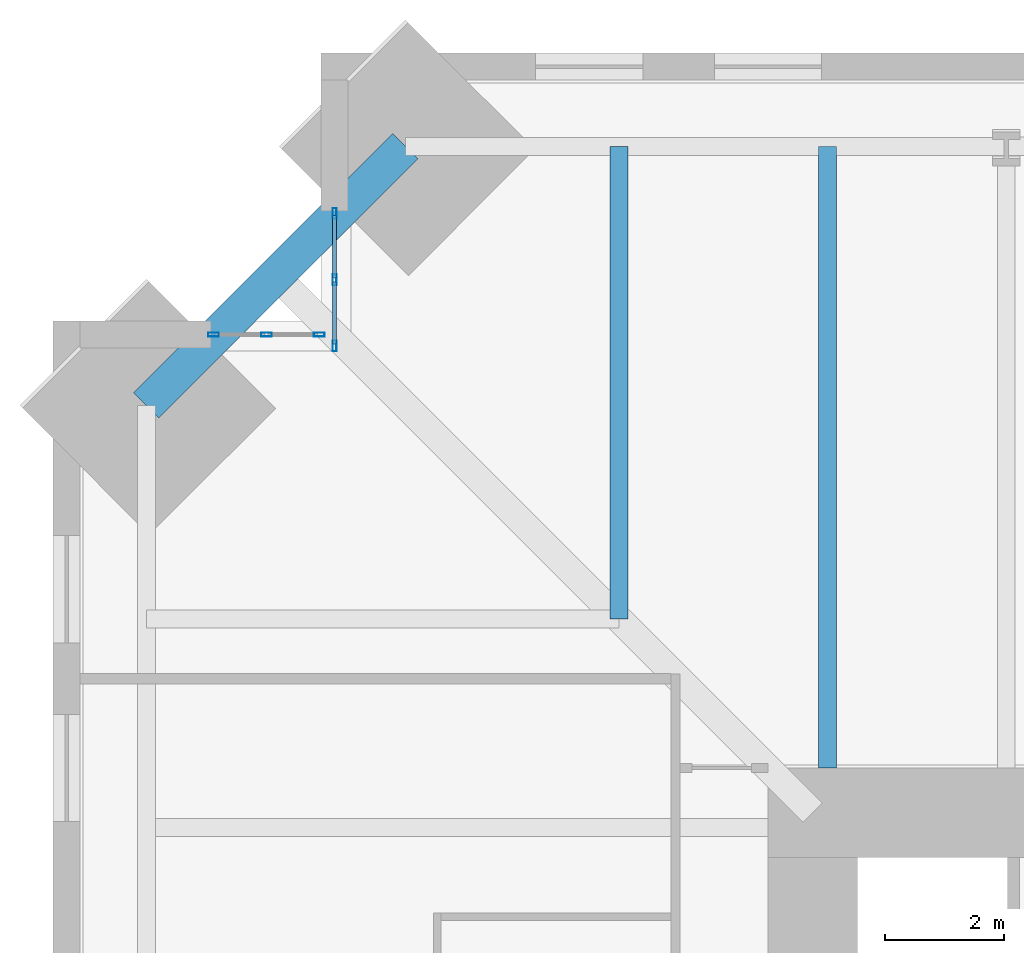
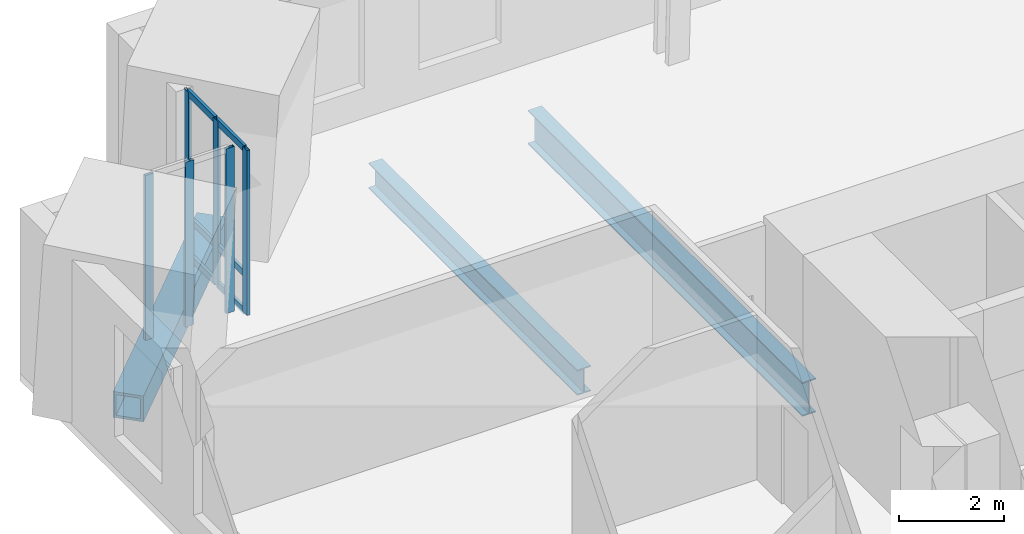
# One storey, part 6 of 15: 12 members, 3 beams, 2 elements without a shape of their own.
"""IFC4 building model written with IfcOpenShell, lengths in metres."""

from ifc_helpers import new_model, si_unit, direction, frame, origin, origin_2d, place, context, subcontext, project, spatial, hollow_rectangle, i_section, extrude, material, material_profile, profile_set, type_object, element, aggregate, save


model = new_model("IFC4")

# Units and contexts
model_context = context("Model", 3, precision=1e-05, world=origin(), true_north=direction((0.0, 1.0)))
body_context = subcontext(model_context, "Body", "Model", "MODEL_VIEW")
ifc_project = project(units=[si_unit("LENGTHUNIT", "METRE"), si_unit("AREAUNIT", "SQUARE_METRE"), si_unit("VOLUMEUNIT", "CUBIC_METRE"), si_unit("PLANEANGLEUNIT", "RADIAN"), si_unit("MASSUNIT", "GRAM", prefix="KILO")], contexts=[model_context])

# Site, building, storey
site_placement = place(None, origin())
site = spatial("IfcSite", under=ifc_project, at=site_placement, CompositionType="ELEMENT")
building_placement = place(site_placement, origin())
building = spatial("IfcBuilding", under=site, at=building_placement, Name="Peilmerk Tower", CompositionType="ELEMENT")
storey_placement = place(building_placement, frame((0.0, 0.0, 209.800048828125)))
storey = spatial("IfcBuildingStorey", under=building, at=storey_placement, Name="L45", CompositionType="ELEMENT", Elevation=209.800048828125)

# Beams
ifc_material_1 = material(Name="Steel S460", Category="steel")
ifc_material_profile_1 = material_profile(ifc_material_1, hollow_rectangle(XDim=0.60009765625, YDim=0.60009765625, WallThickness=0.06005859375, at=origin_2d()), Name="BOX 600x600x60")
ifc_profile_set_1 = profile_set([ifc_material_profile_1], Name="Steel S460")
beam_type_1 = type_object("IfcBeamType", Name="B20 BOX 600x600x60 notch beam", PredefinedType="SPANDREL", material=ifc_profile_set_1)
beam_1_placement = place(storey_placement, frame((-22.43701171875, 18.087158203125, -0.469970703125), z_axis=(0.707106781187, 0.707106781187, 0.0), x_axis=(-0.707106781187, 0.707106781187, 0.0)))
element("IfcBeam", 1, at=beam_1_placement, inside=storey, type_object=beam_type_1, Name="Notch beam L45", PredefinedType="SPANDREL", context=body_context, shape_type="SweptSolid", body=[
    extrude(hollow_rectangle(XDim=0.60009765625, YDim=0.60009765625, WallThickness=0.06005859375, at=origin_2d()), origin(), (0.0, 0.0, 1.0), 6.151611328125),
])
ifc_material_2 = material(Name="Steel S355", Category="steel")
ifc_material_profile_2 = material_profile(ifc_material_2, i_section(OverallWidth=0.300048828125, OverallDepth=0.590087890625, WebThickness=0.012939453125, FlangeThickness=0.02490234375, at=origin_2d()), Name="HEA 600")
ifc_profile_set_2 = profile_set([ifc_material_profile_2], Name="Steel S355")
beam_type_2 = type_object("IfcBeamType", Name="B27 HEA 600 floor beam", PredefinedType="BEAM", material=ifc_profile_set_2)
beam_2_placement = place(storey_placement, frame((-14.5, 14.5, -0.465087890625), z_axis=(0.0, 1.0, 0.0), x_axis=(-1.0, 0.0, 0.0)))
element("IfcBeam", 2, at=beam_2_placement, inside=storey, type_object=beam_type_2, Name="Floor beam L45", PredefinedType="BEAM", context=body_context, shape_type="SweptSolid", body=[
    extrude(i_section(OverallWidth=0.300048828125, OverallDepth=0.590087890625, WebThickness=0.012939453125, FlangeThickness=0.02490234375, at=origin_2d()), origin(), (0.0, 0.0, 1.0), 7.93701171875),
])
ifc_material_profile_3 = material_profile(ifc_material_2, i_section(OverallWidth=0.300048828125, OverallDepth=0.7900390625, WebThickness=0.014892578125, FlangeThickness=0.028076171875, at=origin_2d()), Name="HEA 800")
ifc_profile_set_3 = profile_set([ifc_material_profile_3], Name="Steel S355")
beam_type_3 = type_object("IfcBeamType", Name="B3 HEA 800 floor beam", PredefinedType="BEAM", material=ifc_profile_set_3)
beam_3_placement = place(storey_placement, frame((-11.0, 12.0, -0.56494140625), z_axis=(0.0, 1.0, 0.0), x_axis=(-1.0, 0.0, 0.0)))
element("IfcBeam", 3, at=beam_3_placement, inside=storey, type_object=beam_type_3, Name="Floor beam L45", PredefinedType="BEAM", context=body_context, shape_type="SweptSolid", body=[
    extrude(i_section(OverallWidth=0.300048828125, OverallDepth=0.7900390625, WebThickness=0.014892578125, FlangeThickness=0.028076171875, at=origin_2d()), origin(), (0.0, 0.0, 1.0), 10.43701171875),
])

# Curtain wall, members
ifc_material_3 = material(Name="Aluminium stick curtain wall", Category="aluminium")
curtain_wall_type = type_object("IfcCurtainWallType", Name="CW4 stick curtain wall, 2250 module", PredefinedType="NOTDEFINED", material=ifc_material_3)
curtain_wall_1_placement = place(storey_placement, origin())
curtain_wall_1 = element("IfcCurtainWall", 4, at=curtain_wall_1_placement, inside=storey, type_object=curtain_wall_type, Name="Curtain wall CW4 NWA L45", PredefinedType="NOTDEFINED")
ifc_material_4 = material(Name="Aluminium EN AW-6063 T6", Category="aluminium")
ifc_material_profile_4 = material_profile(ifc_material_4, hollow_rectangle(XDim=0.06494140625, YDim=0.179931640625, WallThickness=0.0029296875, at=origin_2d()), Name="AL 180x65x3")
ifc_profile_set_4 = profile_set([ifc_material_profile_4], Name="Aluminium EN AW-6063 T6")
member_type_1 = type_object("IfcMemberType", Name="CW4-M AL 180x65x3 mullion", PredefinedType="MULLION", material=ifc_profile_set_4)
member_1_placement = place(storey_placement, frame((-19.27490234375, 19.08251953125, 0.0), z_axis=(0.0, 0.0, 1.0), x_axis=(-1.0, 0.0, 0.0)))
member_1 = element("IfcMember", 5, at=member_1_placement, type_object=member_type_1, Name="CW4 mullion 1", PredefinedType="MULLION", context=body_context, shape_type="SweptSolid", body=[
    extrude(hollow_rectangle(XDim=0.06494140625, YDim=0.179931640625, WallThickness=0.0029296875, at=origin_2d()), origin(), (0.0, 0.0, 1.0), 3.829833984375),
])
member_2_placement = place(storey_placement, frame((-19.27490234375, 20.1943359375, 0.0), z_axis=(0.0, 0.0, 1.0), x_axis=(-1.0, 0.0, 0.0)))
member_2 = element("IfcMember", 6, at=member_2_placement, type_object=member_type_1, Name="CW4 mullion 2", PredefinedType="MULLION", context=body_context, shape_type="SweptSolid", body=[
    extrude(hollow_rectangle(XDim=0.06494140625, YDim=0.179931640625, WallThickness=0.0029296875, at=origin_2d()), origin(), (0.0, 0.0, 1.0), 3.829833984375),
])
member_3_placement = place(storey_placement, frame((-19.27490234375, 21.30615234375, 0.0), z_axis=(0.0, 0.0, 1.0), x_axis=(-1.0, 0.0, 0.0)))
member_3 = element("IfcMember", 7, at=member_3_placement, type_object=member_type_1, Name="CW4 mullion 3", PredefinedType="MULLION", context=body_context, shape_type="SweptSolid", body=[
    extrude(hollow_rectangle(XDim=0.06494140625, YDim=0.179931640625, WallThickness=0.0029296875, at=origin_2d()), origin(), (0.0, 0.0, 1.0), 3.829833984375),
])

curtain_wall_2_placement = place(storey_placement, origin())
curtain_wall_2 = element("IfcCurtainWall", 8, at=curtain_wall_2_placement, inside=storey, type_object=curtain_wall_type, Name="Curtain wall CW4 NWB L45", PredefinedType="NOTDEFINED")
member_4_placement = place(storey_placement, frame((-19.532470703125, 19.27490234375, 0.0), z_axis=(0.0, 0.0, 1.0), x_axis=(0.0, -1.0, 0.0)))
member_4 = element("IfcMember", 9, at=member_4_placement, type_object=member_type_1, Name="CW4 mullion 1", PredefinedType="MULLION", context=body_context, shape_type="SweptSolid", body=[
    extrude(hollow_rectangle(XDim=0.06494140625, YDim=0.179931640625, WallThickness=0.0029296875, at=origin_2d()), origin(), (0.0, 0.0, 1.0), 3.829833984375),
])
member_5_placement = place(storey_placement, frame((-20.41943359375, 19.27490234375, 0.0), z_axis=(0.0, 0.0, 1.0), x_axis=(0.0, -1.0, 0.0)))
member_5 = element("IfcMember", 10, at=member_5_placement, type_object=member_type_1, Name="CW4 mullion 2", PredefinedType="MULLION", context=body_context, shape_type="SweptSolid", body=[
    extrude(hollow_rectangle(XDim=0.06494140625, YDim=0.179931640625, WallThickness=0.0029296875, at=origin_2d()), origin(), (0.0, 0.0, 1.0), 3.829833984375),
])
member_6_placement = place(storey_placement, frame((-21.30615234375, 19.27490234375, 0.0), z_axis=(0.0, 0.0, 1.0), x_axis=(0.0, -1.0, 0.0)))
member_6 = element("IfcMember", 11, at=member_6_placement, type_object=member_type_1, Name="CW4 mullion 3", PredefinedType="MULLION", context=body_context, shape_type="SweptSolid", body=[
    extrude(hollow_rectangle(XDim=0.06494140625, YDim=0.179931640625, WallThickness=0.0029296875, at=origin_2d()), origin(), (0.0, 0.0, 1.0), 3.829833984375),
])
aggregate(curtain_wall_2, [member_4, member_5, member_6])

# Member
ifc_material_profile_5 = material_profile(ifc_material_4, hollow_rectangle(XDim=0.06494140625, YDim=0.14990234375, WallThickness=0.0029296875, at=origin_2d()), Name="AL 150x65x3")
ifc_profile_set_5 = profile_set([ifc_material_profile_5], Name="Aluminium EN AW-6063 T6")
member_type_2 = type_object("IfcMemberType", Name="CW4-T AL 150x65x3 transom", PredefinedType="USERDEFINED", material=ifc_profile_set_5)
member_7_placement = place(storey_placement, frame((-19.27490234375, 19.114990234375, 0.032470703125), z_axis=(0.0, 1.0, 0.0), x_axis=(-1.0, 0.0, 0.0)))
member_7 = element("IfcMember", 12, at=member_7_placement, type_object=member_type_2, Name="CW4 transom 1.1", ObjectType="TRANSOM", PredefinedType="USERDEFINED", context=body_context, shape_type="SweptSolid", body=[
    extrude(hollow_rectangle(XDim=0.06494140625, YDim=0.14990234375, WallThickness=0.0029296875, at=origin_2d()), origin(), (0.0, 0.0, 1.0), 1.046875),
])

member_8_placement = place(storey_placement, frame((-19.27490234375, 19.114990234375, 0.89990234375), z_axis=(0.0, 1.0, 0.0), x_axis=(-1.0, 0.0, 0.0)))
member_8 = element("IfcMember", 13, at=member_8_placement, type_object=member_type_2, Name="CW4 transom 1.2", ObjectType="TRANSOM", PredefinedType="USERDEFINED", context=body_context, shape_type="SweptSolid", body=[
    extrude(hollow_rectangle(XDim=0.06494140625, YDim=0.14990234375, WallThickness=0.0029296875, at=origin_2d()), origin(), (0.0, 0.0, 1.0), 1.046875),
])

member_9_placement = place(storey_placement, frame((-19.27490234375, 19.114990234375, 3.79736328125), z_axis=(0.0, 1.0, 0.0), x_axis=(-1.0, 0.0, 0.0)))
member_9 = element("IfcMember", 14, at=member_9_placement, type_object=member_type_2, Name="CW4 transom 1.3", ObjectType="TRANSOM", PredefinedType="USERDEFINED", context=body_context, shape_type="SweptSolid", body=[
    extrude(hollow_rectangle(XDim=0.06494140625, YDim=0.14990234375, WallThickness=0.0029296875, at=origin_2d()), origin(), (0.0, 0.0, 1.0), 1.046875),
])

member_10_placement = place(storey_placement, frame((-19.27490234375, 20.226806640625, 0.032470703125), z_axis=(0.0, 1.0, 0.0), x_axis=(-1.0, 0.0, 0.0)))
member_10 = element("IfcMember", 15, at=member_10_placement, type_object=member_type_2, Name="CW4 transom 2.1", ObjectType="TRANSOM", PredefinedType="USERDEFINED", context=body_context, shape_type="SweptSolid", body=[
    extrude(hollow_rectangle(XDim=0.06494140625, YDim=0.14990234375, WallThickness=0.0029296875, at=origin_2d()), origin(), (0.0, 0.0, 1.0), 1.046875),
])

member_11_placement = place(storey_placement, frame((-19.27490234375, 20.226806640625, 0.89990234375), z_axis=(0.0, 1.0, 0.0), x_axis=(-1.0, 0.0, 0.0)))
member_11 = element("IfcMember", 16, at=member_11_placement, type_object=member_type_2, Name="CW4 transom 2.2", ObjectType="TRANSOM", PredefinedType="USERDEFINED", context=body_context, shape_type="SweptSolid", body=[
    extrude(hollow_rectangle(XDim=0.06494140625, YDim=0.14990234375, WallThickness=0.0029296875, at=origin_2d()), origin(), (0.0, 0.0, 1.0), 1.046875),
])

member_12_placement = place(storey_placement, frame((-19.27490234375, 20.226806640625, 3.79736328125), z_axis=(0.0, 1.0, 0.0), x_axis=(-1.0, 0.0, 0.0)))
member_12 = element("IfcMember", 17, at=member_12_placement, type_object=member_type_2, Name="CW4 transom 2.3", ObjectType="TRANSOM", PredefinedType="USERDEFINED", context=body_context, shape_type="SweptSolid", body=[
    extrude(hollow_rectangle(XDim=0.06494140625, YDim=0.14990234375, WallThickness=0.0029296875, at=origin_2d()), origin(), (0.0, 0.0, 1.0), 1.046875),
])

aggregate(curtain_wall_1, [member_1, member_2, member_3, member_7, member_8, member_9, member_10, member_11, member_12])

save(model, "model.ifc")
